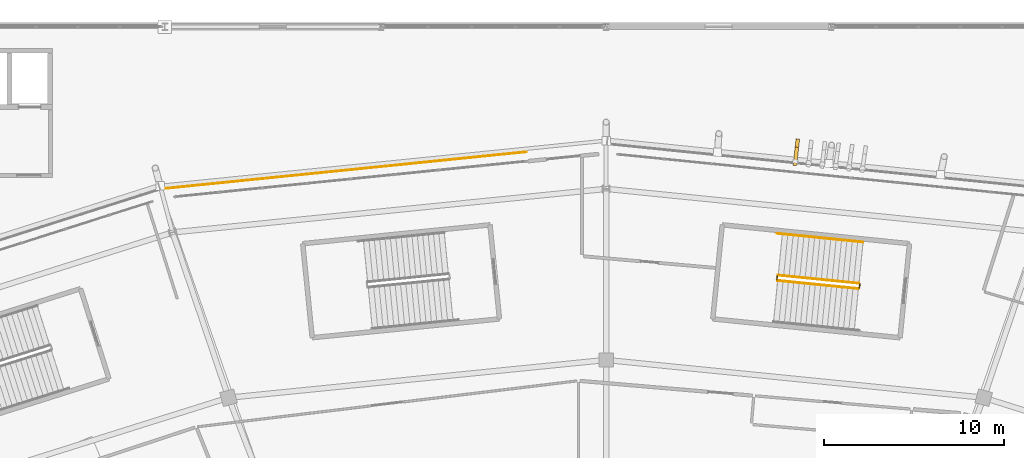
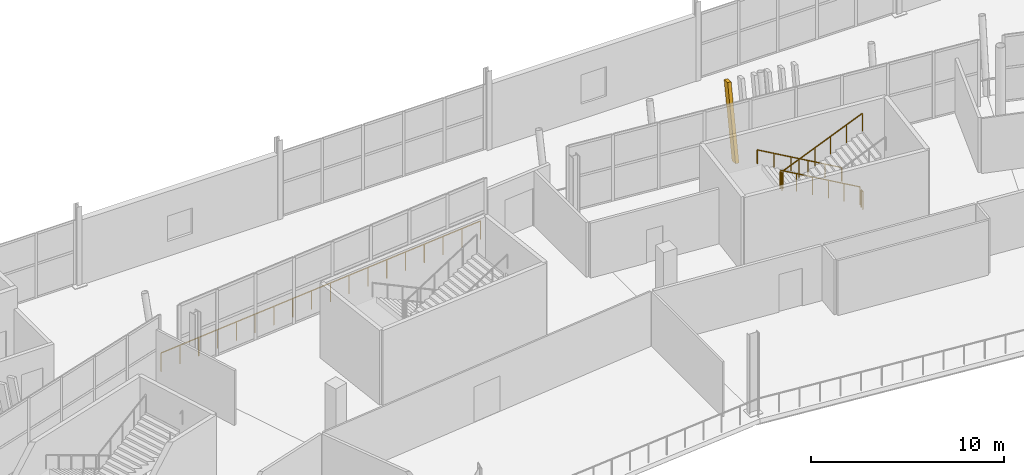
# One storey, part 176 of 179: 6 railings, 1 shading device.
"""IFC4 building model written with IfcOpenShell, lengths in metres."""

from ifc_helpers import new_model, si_unit, direction, frame, origin, origin_2d, place, context, subcontext, project, spatial, rectangle, extrude, material, material_profile, profile_set, type_object, element, save


model = new_model("IFC4")

# Units and contexts
model_context = context("Model", 3, precision=1e-05, world=origin(), true_north=direction((0.0, 1.0)))
body_context = subcontext(model_context, "Body", "Model", "MODEL_VIEW")
ifc_project = project(units=[si_unit("LENGTHUNIT", "METRE"), si_unit("AREAUNIT", "SQUARE_METRE"), si_unit("VOLUMEUNIT", "CUBIC_METRE"), si_unit("PLANEANGLEUNIT", "RADIAN"), si_unit("MASSUNIT", "GRAM", prefix="KILO")], contexts=[model_context])

# Site, building, storey
site_placement = place(None, origin())
site = spatial("IfcSite", under=ifc_project, at=site_placement, CompositionType="ELEMENT")
building_placement = place(site_placement, origin())
building = spatial("IfcBuilding", under=site, at=building_placement, Name="Zlatoyarsky Gate Stadium", CompositionType="ELEMENT")
storey_placement = place(building_placement, frame((0.0, 0.0, 10.60009765625)))
storey = spatial("IfcBuildingStorey", under=building, at=storey_placement, Name="L02", CompositionType="ELEMENT", Elevation=10.60009765625)

# Railings
ifc_material_1 = material(Name="Powder-coated steel tubular guardrail", Category="steel")
railing_type_1 = type_object("IfcRailingType", Name="CONCOURSE SLAB EDGE GUARDRAIL 1200", PredefinedType="GUARDRAIL", material=ifc_material_1)
railing_1_placement = place(storey_placement, frame((106.57275390625, 153.04736328125, 0.0)))
element("IfcRailing", 1, at=railing_1_placement, inside=storey, type_object=railing_type_1, Name="L02 outer slab edge guardrail 06", PredefinedType="GUARDRAIL", context=body_context, shape_type="SweptSolid", body=[
    extrude(rectangle(XDim=0.048095703125, YDim=0.048095703125, at=origin_2d()), frame((0.0, 0.0, 1.17578125), z_axis=(-0.994906430077, -0.100802754876, 0.0), x_axis=(0.100802754876, -0.994906430077, 0.0)), (0.0, 0.0, 1.0), 20.392822265625),
    extrude(rectangle(XDim=0.0419921875, YDim=0.0419921875, at=origin_2d()), origin(), (0.0, 0.0, 1.0), 1.15185546875),
    extrude(rectangle(XDim=0.0419921875, YDim=0.0419921875, at=origin_2d()), frame((-1.193359375, -0.120849609375, 0.0)), (0.0, 0.0, 1.0), 1.15185546875),
    extrude(rectangle(XDim=0.0419921875, YDim=0.0419921875, at=origin_2d()), frame((-2.386962890625, -0.241943359375, 0.0)), (0.0, 0.0, 1.0), 1.15185546875),
    extrude(rectangle(XDim=0.0419921875, YDim=0.0419921875, at=origin_2d()), frame((-3.580322265625, -0.36279296875, 0.0)), (0.0, 0.0, 1.0), 1.15185546875),
    extrude(rectangle(XDim=0.0419921875, YDim=0.0419921875, at=origin_2d()), frame((-4.77392578125, -0.483642578125, 0.0)), (0.0, 0.0, 1.0), 1.15185546875),
    extrude(rectangle(XDim=0.0419921875, YDim=0.0419921875, at=origin_2d()), frame((-5.96728515625, -0.6044921875, 0.0)), (0.0, 0.0, 1.0), 1.15185546875),
    extrude(rectangle(XDim=0.0419921875, YDim=0.0419921875, at=origin_2d()), frame((-7.160888671875, -0.7255859375, 0.0)), (0.0, 0.0, 1.0), 1.15185546875),
    extrude(rectangle(XDim=0.0419921875, YDim=0.0419921875, at=origin_2d()), frame((-8.354248046875, -0.846435546875, 0.0)), (0.0, 0.0, 1.0), 1.15185546875),
    extrude(rectangle(XDim=0.0419921875, YDim=0.0419921875, at=origin_2d()), frame((-9.5478515625, -0.96728515625, 0.0)), (0.0, 0.0, 1.0), 1.15185546875),
    extrude(rectangle(XDim=0.0419921875, YDim=0.0419921875, at=origin_2d()), frame((-10.7412109375, -1.08837890625, 0.0)), (0.0, 0.0, 1.0), 1.15185546875),
    extrude(rectangle(XDim=0.0419921875, YDim=0.0419921875, at=origin_2d()), frame((-11.934814453125, -1.209228515625, 0.0)), (0.0, 0.0, 1.0), 1.15185546875),
    extrude(rectangle(XDim=0.0419921875, YDim=0.0419921875, at=origin_2d()), frame((-13.128173828125, -1.330078125, 0.0)), (0.0, 0.0, 1.0), 1.15185546875),
    extrude(rectangle(XDim=0.0419921875, YDim=0.0419921875, at=origin_2d()), frame((-14.32177734375, -1.451171875, 0.0)), (0.0, 0.0, 1.0), 1.15185546875),
    extrude(rectangle(XDim=0.0419921875, YDim=0.0419921875, at=origin_2d()), frame((-15.51513671875, -1.572021484375, 0.0)), (0.0, 0.0, 1.0), 1.15185546875),
    extrude(rectangle(XDim=0.0419921875, YDim=0.0419921875, at=origin_2d()), frame((-16.708740234375, -1.69287109375, 0.0)), (0.0, 0.0, 1.0), 1.15185546875),
    extrude(rectangle(XDim=0.0419921875, YDim=0.0419921875, at=origin_2d()), frame((-17.902099609375, -1.813720703125, 0.0)), (0.0, 0.0, 1.0), 1.15185546875),
    extrude(rectangle(XDim=0.0419921875, YDim=0.0419921875, at=origin_2d()), frame((-19.095703125, -1.934814453125, 0.0)), (0.0, 0.0, 1.0), 1.15185546875),
    extrude(rectangle(XDim=0.0419921875, YDim=0.0419921875, at=origin_2d()), frame((-20.2890625, -2.0556640625, 0.0)), (0.0, 0.0, 1.0), 1.15185546875),
])
ifc_material_2 = material(Name="Powder-coated steel stair guardrail", Category="steel")
railing_type_2 = type_object("IfcRailingType", Name="PAINTED STEEL STAIR WELL GUARDRAIL 1150", PredefinedType="GUARDRAIL", material=ifc_material_2)
railing_2_placement = place(storey_placement, frame((125.03466796875, 145.752685546875, 0.15625)))
element("IfcRailing", 2, at=railing_2_placement, inside=storey, type_object=railing_type_2, Name="ST-17 L02 stair guard 1", PredefinedType="GUARDRAIL", context=body_context, shape_type="SweptSolid", body=[
    extrude(rectangle(XDim=0.048095703125, YDim=0.048095703125, at=origin_2d()), frame((0.0, 0.0, 1.1259765625), z_axis=(-0.882473293179, 0.088680386005, 0.461927132743), x_axis=(-0.099987144365, -0.994988729063, 0.0)), (0.0, 0.0, 1.0), 5.07373046875),
    extrude(rectangle(XDim=0.0419921875, YDim=0.0419921875, at=origin_2d()), origin(), (0.0, 0.0, 1.0), 1.101806640625),
    extrude(rectangle(XDim=0.0419921875, YDim=0.0419921875, at=origin_2d()), frame((-0.8955078125, 0.090087890625, 0.46875)), (0.0, 0.0, 1.0), 1.101806640625),
    extrude(rectangle(XDim=0.0419921875, YDim=0.0419921875, at=origin_2d()), frame((-1.791015625, 0.179931640625, 0.9375)), (0.0, 0.0, 1.0), 1.101806640625),
    extrude(rectangle(XDim=0.0419921875, YDim=0.0419921875, at=origin_2d()), frame((-2.6865234375, 0.27001953125, 1.40625)), (0.0, 0.0, 1.0), 1.101806640625),
    extrude(rectangle(XDim=0.0419921875, YDim=0.0419921875, at=origin_2d()), frame((-3.58203125, 0.35986328125, 1.875)), (0.0, 0.0, 1.0), 1.101806640625),
    extrude(rectangle(XDim=0.0419921875, YDim=0.0419921875, at=origin_2d()), frame((-4.4775390625, 0.449951171875, 2.34375)), (0.0, 0.0, 1.0), 1.101806640625),
])
railing_3_placement = place(storey_placement, frame((120.50244140625, 146.157958984375, 2.5)))
element("IfcRailing", 3, at=railing_3_placement, inside=storey, type_object=railing_type_2, Name="ST-17 L02 stair guard 2", PredefinedType="GUARDRAIL", context=body_context, shape_type="SweptSolid", body=[
    extrude(rectangle(XDim=0.048095703125, YDim=0.048095703125, at=origin_2d()), frame((0.0, 0.0, 1.1259765625), z_axis=(-0.100108072026, -0.994976569531, 0.0), x_axis=(0.994976569531, -0.100108072026, 0.0)), (0.0, 0.0, 1.0), 0.199951171875),
    extrude(rectangle(XDim=0.0419921875, YDim=0.0419921875, at=origin_2d()), origin(), (0.0, 0.0, 1.0), 1.101806640625),
    extrude(rectangle(XDim=0.0419921875, YDim=0.0419921875, at=origin_2d()), frame((-0.02001953125, -0.198974609375, 0.0)), (0.0, 0.0, 1.0), 1.101806640625),
])
railing_4_placement = place(storey_placement, frame((120.527099609375, 145.904052734375, 2.65625)))
element("IfcRailing", 4, at=railing_4_placement, inside=storey, type_object=railing_type_2, Name="ST-17 L02 stair guard 3", PredefinedType="GUARDRAIL", context=body_context, shape_type="SweptSolid", body=[
    extrude(rectangle(XDim=0.048095703125, YDim=0.048095703125, at=origin_2d()), frame((0.0, 0.0, 1.1259765625), z_axis=(0.882473293179, -0.088680386005, 0.461927132743), x_axis=(0.099987144365, 0.994988729063, 0.0)), (0.0, 0.0, 1.0), 5.07373046875),
    extrude(rectangle(XDim=0.0419921875, YDim=0.0419921875, at=origin_2d()), origin(), (0.0, 0.0, 1.0), 1.101806640625),
    extrude(rectangle(XDim=0.0419921875, YDim=0.0419921875, at=origin_2d()), frame((0.8955078125, -0.090087890625, 0.46875)), (0.0, 0.0, 1.0), 1.101806640625),
    extrude(rectangle(XDim=0.0419921875, YDim=0.0419921875, at=origin_2d()), frame((1.791015625, -0.179931640625, 0.9375)), (0.0, 0.0, 1.0), 1.101806640625),
    extrude(rectangle(XDim=0.0419921875, YDim=0.0419921875, at=origin_2d()), frame((2.6865234375, -0.27001953125, 1.40625)), (0.0, 0.0, 1.0), 1.101806640625),
    extrude(rectangle(XDim=0.0419921875, YDim=0.0419921875, at=origin_2d()), frame((3.58203125, -0.35986328125, 1.875)), (0.0, 0.0, 1.0), 1.101806640625),
    extrude(rectangle(XDim=0.0419921875, YDim=0.0419921875, at=origin_2d()), frame((4.4775390625, -0.449951171875, 2.34375)), (0.0, 0.0, 1.0), 1.101806640625),
])
railing_5_placement = place(storey_placement, frame((125.079345703125, 145.69775390625, 0.0)))
element("IfcRailing", 5, at=railing_5_placement, inside=storey, type_object=railing_type_2, Name="ST-17 L02 stair guard 4", PredefinedType="GUARDRAIL", context=body_context, shape_type="SweptSolid", body=[
    extrude(rectangle(XDim=0.048095703125, YDim=0.048095703125, at=origin_2d()), frame((0.0, 0.0, 1.1259765625), z_axis=(-0.100108072026, -0.994976569531, 0.0), x_axis=(0.994976569531, -0.100108072026, 0.0)), (0.0, 0.0, 1.0), 0.199951171875),
    extrude(rectangle(XDim=0.0419921875, YDim=0.0419921875, at=origin_2d()), origin(), (0.0, 0.0, 1.0), 1.101806640625),
    extrude(rectangle(XDim=0.0419921875, YDim=0.0419921875, at=origin_2d()), frame((-0.02001953125, -0.198974609375, 0.0)), (0.0, 0.0, 1.0), 1.101806640625),
])

# Shading device
ifc_material_3 = material(Name="Precast concrete C40/50 stone-toned architectural rib", Category="masonry")
ifc_material_profile = material_profile(ifc_material_3, rectangle(XDim=0.199951171875, YDim=0.47998046875, at=origin_2d()), Name="RIB 200X480")
ifc_profile_set = profile_set([ifc_material_profile], Name="Precast concrete C40/50 stone-toned architectural rib")
shading_device_type = type_object("IfcShadingDeviceType", Name="PRECAST FLUTED GATE LOUVRE BLADE 200X480", PredefinedType="SHUTTER", material=ifc_profile_set)
shading_device_placement = place(storey_placement, frame((121.505615234375, 152.531005859375, -0.010009765625), z_axis=(0.024551541846, 0.220166748634, 0.975153231338), x_axis=(-0.993839774973, 0.110826448476, 0.0)))
element("IfcShadingDevice", 6, at=shading_device_placement, inside=storey, type_object=shading_device_type, Name="Leaning bowl louvre fin L02-05-6", PredefinedType="SHUTTER", context=body_context, shape_type="SweptSolid", body=[
    extrude(rectangle(XDim=0.199951171875, YDim=0.47998046875, at=origin_2d()), origin(), (0.0, 0.0, 1.0), 4.59423828125),
])

# Railing
ifc_material_4 = material(Name="Brushed stainless steel 316 handrail", Category="steel")
railing_type_3 = type_object("IfcRailingType", Name="STAINLESS STEEL TUBULAR HANDRAIL 900", PredefinedType="HANDRAIL", material=ifc_material_4)
railing_6_placement = place(storey_placement, frame((125.2646484375, 148.041015625, 0.16015625)))
element("IfcRailing", 7, at=railing_6_placement, inside=storey, type_object=railing_type_3, Name="ST-17 L02 stair handrail 1", PredefinedType="HANDRAIL", context=body_context, shape_type="SweptSolid", body=[
    extrude(rectangle(XDim=0.048095703125, YDim=0.048095703125, at=origin_2d()), frame((0.0, 0.0, 0.8759765625), z_axis=(-0.882476149141, 0.088685176569, 0.461920756899), x_axis=(-0.099992171352, -0.994988223884, 0.0)), (0.0, 0.0, 1.0), 5.412109375),
    extrude(rectangle(XDim=0.0419921875, YDim=0.0419921875, at=origin_2d()), origin(), (0.0, 0.0, 1.0), 0.851806640625),
    extrude(rectangle(XDim=0.0419921875, YDim=0.0419921875, at=origin_2d()), frame((-0.955322265625, 0.095947265625, 0.5)), (0.0, 0.0, 1.0), 0.851806640625),
    extrude(rectangle(XDim=0.0419921875, YDim=0.0419921875, at=origin_2d()), frame((-1.910400390625, 0.19189453125, 1.0)), (0.0, 0.0, 1.0), 0.851806640625),
    extrude(rectangle(XDim=0.0419921875, YDim=0.0419921875, at=origin_2d()), frame((-2.86572265625, 0.2880859375, 1.5)), (0.0, 0.0, 1.0), 0.851806640625),
    extrude(rectangle(XDim=0.0419921875, YDim=0.0419921875, at=origin_2d()), frame((-3.82080078125, 0.384033203125, 2.0)), (0.0, 0.0, 1.0), 0.851806640625),
    extrude(rectangle(XDim=0.0419921875, YDim=0.0419921875, at=origin_2d()), frame((-4.776123046875, 0.47998046875, 2.5)), (0.0, 0.0, 1.0), 0.851806640625),
])

save(model, "model.ifc")
